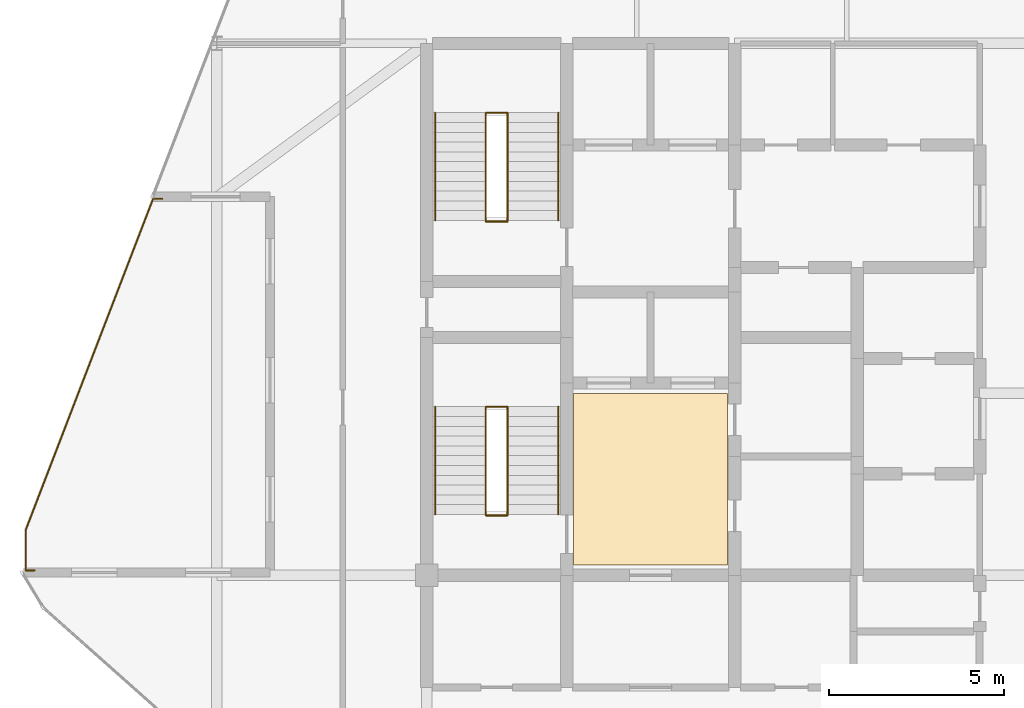
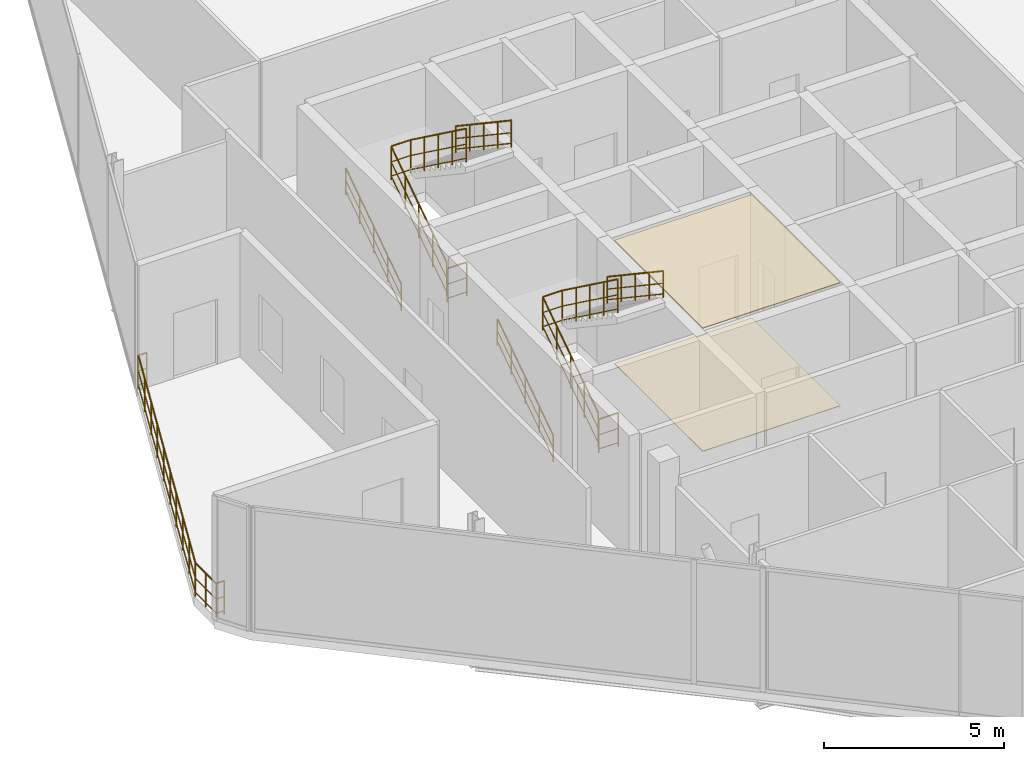
# One storey, part 24 of 24: 12 railings, 2 coverings.
"""IFC4 building model written with IfcOpenShell, lengths in metres."""

from ifc_helpers import new_model, si_unit, direction, frame, origin, origin_2d, place, context, subcontext, project, spatial, polyline, circle, outline, extrude, material, layer, layer_set, type_object, element, save


model = new_model("IFC4")

# Units and contexts
model_context = context("Model", 3, precision=1e-05, world=origin(), true_north=direction((0.0, 1.0)))
body_context = subcontext(model_context, "Body", "Model", "MODEL_VIEW")
ifc_project = project(units=[si_unit("LENGTHUNIT", "METRE"), si_unit("AREAUNIT", "SQUARE_METRE"), si_unit("VOLUMEUNIT", "CUBIC_METRE"), si_unit("PLANEANGLEUNIT", "RADIAN"), si_unit("MASSUNIT", "GRAM", prefix="KILO")], contexts=[model_context])

# Site, building, storey
site_placement = place(None, origin())
site = spatial("IfcSite", under=ifc_project, at=site_placement, CompositionType="ELEMENT")
building_placement = place(site_placement, origin())
building = spatial("IfcBuilding", under=site, at=building_placement, Name="Keshet Zoharim Tower", CompositionType="ELEMENT")
storey_placement = place(building_placement, frame((0.0, 0.0, 299.10009765625)))
storey = spatial("IfcBuildingStorey", under=building, at=storey_placement, Name="L75", CompositionType="ELEMENT", Elevation=299.10009765625)

# Coverings
ifc_material_1 = material(Name="Gypsum Plasterboard", Category="gypsum")
ifc_layer_1 = layer(ifc_material_1, 0.02490234375)
ifc_layer_set_1 = layer_set([ifc_layer_1], Name="Gypsum Plasterboard")
covering_type_1 = type_object("IfcCoveringType", Name="CV-CLG-025", PredefinedType="CEILING", material=ifc_layer_set_1)
covering_1_placement = place(storey_placement, frame((0.0, 0.0, 4.164794921875)))
element("IfcCovering", 1, at=covering_1_placement, inside=storey, type_object=covering_type_1, Name="L75 Core Lobby Acoustic Ceiling", PredefinedType="CEILING", context=body_context, shape_type="SweptSolid", body=[
    extrude(outline(polyline([(19.199951171875, 23.0), (23.60009765625, 23.0), (23.60009765625, 27.89990234375), (19.199951171875, 27.89990234375), (19.199951171875, 23.0)])), origin(), (0.0, 0.0, 1.0), 0.025146484375),
])
ifc_material_2 = material(Name="Porcelain Ceramic Tile", Category="ceramic")
ifc_layer_2 = layer(ifc_material_2, 0.02001953125)
ifc_layer_set_2 = layer_set([ifc_layer_2], Name="Porcelain Ceramic Tile")
covering_type_2 = type_object("IfcCoveringType", Name="CV-FLR-020", PredefinedType="FLOORING", material=ifc_layer_set_2)
covering_2_placement = place(storey_placement, origin())
element("IfcCovering", 2, at=covering_2_placement, inside=storey, type_object=covering_type_2, Name="L75 Core Lobby Porcelain Flooring", PredefinedType="FLOORING", context=body_context, shape_type="SweptSolid", body=[
    extrude(outline(polyline([(19.199951171875, 23.0), (23.60009765625, 23.0), (23.60009765625, 27.89990234375), (19.199951171875, 27.89990234375), (19.199951171875, 23.0)])), origin(), (0.0, 0.0, 1.0), 0.02001953125),
])

# Railings
ifc_material_3 = material(Name="Steel S355", Category="steel")
ifc_layer_3 = layer(ifc_material_3, 0.050048828125)
ifc_layer_set_3 = layer_set([ifc_layer_3], Name="Steel S355")
railing_type_1 = type_object("IfcRailingType", Name="RL-HND-092", PredefinedType="HANDRAIL", material=ifc_layer_set_3)
railing_1_placement = place(storey_placement, frame((15.239990234375, 24.43994140625, 0.1875)))
element("IfcRailing", 3, at=railing_1_placement, inside=storey, type_object=railing_type_1, Name="L75 ST-01 Flight 1 Wall Handrail", PredefinedType="HANDRAIL", context=body_context, shape_type="SweptSolid", body=[
    extrude(circle(Radius=0.02392578125, at=origin_2d()), frame((0.0, 0.0, 0.89599609375), z_axis=(0.0, 0.830913701846, 0.55640131208), x_axis=(-1.0, 0.0, 0.0)), (0.0, 0.0, 1.0), 3.706787109375),
    extrude(circle(Radius=0.01611328125, at=origin_2d()), frame((0.0, 0.0, 0.478271484375), z_axis=(0.0, 0.830913701846, 0.55640131208), x_axis=(-1.0, 0.0, 0.0)), (0.0, 0.0, 1.0), 3.706787109375),
    extrude(circle(Radius=0.01611328125, at=origin_2d()), frame((0.0, 0.0, 0.1201171875), z_axis=(0.0, 0.830913701846, 0.55640131208), x_axis=(-1.0, 0.0, 0.0)), (0.0, 0.0, 1.0), 3.706787109375),
    extrude(circle(Radius=0.02099609375, at=origin_2d()), origin(), (0.0, 0.0, 1.0), 0.871826171875),
    extrude(circle(Radius=0.02099609375, at=origin_2d()), frame((0.0, 0.77001953125, 0.515625)), (0.0, 0.0, 1.0), 0.871826171875),
    extrude(circle(Radius=0.02099609375, at=origin_2d()), frame((0.0, 1.5400390625, 1.03125)), (0.0, 0.0, 1.0), 0.871826171875),
    extrude(circle(Radius=0.02099609375, at=origin_2d()), frame((0.0, 2.31005859375, 1.546875)), (0.0, 0.0, 1.0), 0.871826171875),
    extrude(circle(Radius=0.02099609375, at=origin_2d()), frame((0.0, 3.080078125, 2.0625)), (0.0, 0.0, 1.0), 0.871826171875),
])
railing_2_placement = place(storey_placement, frame((18.760009765625, 27.52001953125, 2.4375)))
element("IfcRailing", 4, at=railing_2_placement, inside=storey, type_object=railing_type_1, Name="L75 ST-01 Flight 2 Wall Handrail", PredefinedType="HANDRAIL", context=body_context, shape_type="SweptSolid", body=[
    extrude(circle(Radius=0.02392578125, at=origin_2d()), frame((0.0, 0.0, 0.89599609375), z_axis=(0.0, -0.830913701846, 0.55640131208), x_axis=(1.0, 0.0, 0.0)), (0.0, 0.0, 1.0), 3.706787109375),
    extrude(circle(Radius=0.01611328125, at=origin_2d()), frame((0.0, 0.0, 0.478271484375), z_axis=(0.0, -0.830913701846, 0.55640131208), x_axis=(1.0, 0.0, 0.0)), (0.0, 0.0, 1.0), 3.706787109375),
    extrude(circle(Radius=0.01611328125, at=origin_2d()), frame((0.0, 0.0, 0.1201171875), z_axis=(0.0, -0.830913701846, 0.55640131208), x_axis=(1.0, 0.0, 0.0)), (0.0, 0.0, 1.0), 3.706787109375),
    extrude(circle(Radius=0.02099609375, at=origin_2d()), origin(), (0.0, 0.0, 1.0), 0.871826171875),
    extrude(circle(Radius=0.02099609375, at=origin_2d()), frame((0.0, -0.77001953125, 0.515625)), (0.0, 0.0, 1.0), 0.871826171875),
    extrude(circle(Radius=0.02099609375, at=origin_2d()), frame((0.0, -1.5400390625, 1.03125)), (0.0, 0.0, 1.0), 0.871826171875),
    extrude(circle(Radius=0.02099609375, at=origin_2d()), frame((0.0, -2.31005859375, 1.546875)), (0.0, 0.0, 1.0), 0.871826171875),
    extrude(circle(Radius=0.02099609375, at=origin_2d()), frame((0.0, -3.080078125, 2.0625)), (0.0, 0.0, 1.0), 0.871826171875),
])
railing_3_placement = place(storey_placement, frame((15.239990234375, 32.840087890625, 0.1875)))
element("IfcRailing", 5, at=railing_3_placement, inside=storey, type_object=railing_type_1, Name="L75 ST-02 Flight 1 Wall Handrail", PredefinedType="HANDRAIL", context=body_context, shape_type="SweptSolid", body=[
    extrude(circle(Radius=0.02392578125, at=origin_2d()), frame((0.0, 0.0, 0.89599609375), z_axis=(0.0, 0.830893310487, 0.556431762742), x_axis=(-1.0, 0.0, 0.0)), (0.0, 0.0, 1.0), 3.70654296875),
    extrude(circle(Radius=0.01611328125, at=origin_2d()), frame((0.0, 0.0, 0.478271484375), z_axis=(0.0, 0.830893310487, 0.556431762742), x_axis=(-1.0, 0.0, 0.0)), (0.0, 0.0, 1.0), 3.70654296875),
    extrude(circle(Radius=0.01611328125, at=origin_2d()), frame((0.0, 0.0, 0.1201171875), z_axis=(0.0, 0.830893310487, 0.556431762742), x_axis=(-1.0, 0.0, 0.0)), (0.0, 0.0, 1.0), 3.70654296875),
    extrude(circle(Radius=0.02099609375, at=origin_2d()), origin(), (0.0, 0.0, 1.0), 0.871826171875),
    extrude(circle(Radius=0.02099609375, at=origin_2d()), frame((0.0, 0.77001953125, 0.515625)), (0.0, 0.0, 1.0), 0.871826171875),
    extrude(circle(Radius=0.02099609375, at=origin_2d()), frame((0.0, 1.5400390625, 1.03125)), (0.0, 0.0, 1.0), 0.871826171875),
    extrude(circle(Radius=0.02099609375, at=origin_2d()), frame((0.0, 2.309814453125, 1.546875)), (0.0, 0.0, 1.0), 0.871826171875),
    extrude(circle(Radius=0.02099609375, at=origin_2d()), frame((0.0, 3.079833984375, 2.0625)), (0.0, 0.0, 1.0), 0.871826171875),
])
railing_4_placement = place(storey_placement, frame((18.760009765625, 35.919921875, 2.4375)))
element("IfcRailing", 6, at=railing_4_placement, inside=storey, type_object=railing_type_1, Name="L75 ST-02 Flight 2 Wall Handrail", PredefinedType="HANDRAIL", context=body_context, shape_type="SweptSolid", body=[
    extrude(circle(Radius=0.02392578125, at=origin_2d()), frame((0.0, 0.0, 0.89599609375), z_axis=(0.0, -0.830893310487, 0.556431762742), x_axis=(1.0, 0.0, 0.0)), (0.0, 0.0, 1.0), 3.70654296875),
    extrude(circle(Radius=0.01611328125, at=origin_2d()), frame((0.0, 0.0, 0.478271484375), z_axis=(0.0, -0.830893310487, 0.556431762742), x_axis=(1.0, 0.0, 0.0)), (0.0, 0.0, 1.0), 3.70654296875),
    extrude(circle(Radius=0.01611328125, at=origin_2d()), frame((0.0, 0.0, 0.1201171875), z_axis=(0.0, -0.830893310487, 0.556431762742), x_axis=(1.0, 0.0, 0.0)), (0.0, 0.0, 1.0), 3.70654296875),
    extrude(circle(Radius=0.02099609375, at=origin_2d()), origin(), (0.0, 0.0, 1.0), 0.871826171875),
    extrude(circle(Radius=0.02099609375, at=origin_2d()), frame((0.0, -0.77001953125, 0.515625)), (0.0, 0.0, 1.0), 0.871826171875),
    extrude(circle(Radius=0.02099609375, at=origin_2d()), frame((0.0, -1.5400390625, 1.03125)), (0.0, 0.0, 1.0), 0.871826171875),
    extrude(circle(Radius=0.02099609375, at=origin_2d()), frame((0.0, -2.309814453125, 1.546875)), (0.0, 0.0, 1.0), 0.871826171875),
    extrude(circle(Radius=0.02099609375, at=origin_2d()), frame((0.0, -3.079833984375, 2.0625)), (0.0, 0.0, 1.0), 0.871826171875),
])
ifc_layer_4 = layer(ifc_material_3, 0.06005859375)
ifc_layer_set_4 = layer_set([ifc_layer_4], Name="Steel S355")
railing_type_2 = type_object("IfcRailingType", Name="RL-STG-115", PredefinedType="GUARDRAIL", material=ifc_layer_set_4)
railing_5_placement = place(storey_placement, frame((16.68994140625, 24.43994140625, 0.1875)))
element("IfcRailing", 7, at=railing_5_placement, inside=storey, type_object=railing_type_2, Name="L75 ST-01 Inner Well Guardrail", PredefinedType="GUARDRAIL", context=body_context, shape_type="SweptSolid", body=[
    extrude(circle(Radius=0.02392578125, at=origin_2d()), frame((0.0, 0.0, 1.1259765625), z_axis=(0.0, 0.830913701846, 0.55640131208), x_axis=(-1.0, 0.0, 0.0)), (0.0, 0.0, 1.0), 3.706787109375),
    extrude(circle(Radius=0.01611328125, at=origin_2d()), frame((0.0, 0.0, 0.597900390625), z_axis=(0.0, 0.830913701846, 0.55640131208), x_axis=(-1.0, 0.0, 0.0)), (0.0, 0.0, 1.0), 3.706787109375),
    extrude(circle(Radius=0.01611328125, at=origin_2d()), frame((0.0, 0.0, 0.1201171875), z_axis=(0.0, 0.830913701846, 0.55640131208), x_axis=(-1.0, 0.0, 0.0)), (0.0, 0.0, 1.0), 3.706787109375),
    extrude(circle(Radius=0.02392578125, at=origin_2d()), frame((0.0, 3.080078125, 3.1884765625), z_axis=(1.0, 0.0, 0.0), x_axis=(0.0, 1.0, 0.0)), (0.0, 0.0, 1.0), 0.6201171875),
    extrude(circle(Radius=0.01611328125, at=origin_2d()), frame((0.0, 3.080078125, 2.660400390625), z_axis=(1.0, 0.0, 0.0), x_axis=(0.0, 1.0, 0.0)), (0.0, 0.0, 1.0), 0.6201171875),
    extrude(circle(Radius=0.01611328125, at=origin_2d()), frame((0.0, 3.080078125, 2.1826171875), z_axis=(1.0, 0.0, 0.0), x_axis=(0.0, 1.0, 0.0)), (0.0, 0.0, 1.0), 0.6201171875),
    extrude(circle(Radius=0.02392578125, at=origin_2d()), frame((0.6201171875, 3.080078125, 3.1884765625), z_axis=(0.0, -0.807494308864, 0.589875360692), x_axis=(1.0, 0.0, 0.0)), (0.0, 0.0, 1.0), 3.814453125),
    extrude(circle(Radius=0.01611328125, at=origin_2d()), frame((0.6201171875, 3.080078125, 2.660400390625), z_axis=(0.0, -0.807494308864, 0.589875360692), x_axis=(1.0, 0.0, 0.0)), (0.0, 0.0, 1.0), 3.814453125),
    extrude(circle(Radius=0.01611328125, at=origin_2d()), frame((0.6201171875, 3.080078125, 2.1826171875), z_axis=(0.0, -0.807494308864, 0.589875360692), x_axis=(1.0, 0.0, 0.0)), (0.0, 0.0, 1.0), 3.814453125),
    extrude(circle(Radius=0.02099609375, at=origin_2d()), origin(), (0.0, 0.0, 1.0), 1.101806640625),
    extrude(circle(Radius=0.02099609375, at=origin_2d()), frame((0.0, 0.77001953125, 0.515625)), (0.0, 0.0, 1.0), 1.101806640625),
    extrude(circle(Radius=0.02099609375, at=origin_2d()), frame((0.0, 1.5400390625, 1.03125)), (0.0, 0.0, 1.0), 1.101806640625),
    extrude(circle(Radius=0.02099609375, at=origin_2d()), frame((0.0, 2.31005859375, 1.546875)), (0.0, 0.0, 1.0), 1.101806640625),
    extrude(circle(Radius=0.02099609375, at=origin_2d()), frame((0.0, 3.080078125, 2.0625)), (0.0, 0.0, 1.0), 1.101806640625),
    extrude(circle(Radius=0.02099609375, at=origin_2d()), frame((0.6201171875, 3.080078125, 2.0625)), (0.0, 0.0, 1.0), 1.101806640625),
    extrude(circle(Radius=0.02099609375, at=origin_2d()), frame((0.6201171875, 2.31005859375, 2.625)), (0.0, 0.0, 1.0), 1.101806640625),
    extrude(circle(Radius=0.02099609375, at=origin_2d()), frame((0.6201171875, 1.5400390625, 3.1875)), (0.0, 0.0, 1.0), 1.101806640625),
    extrude(circle(Radius=0.02099609375, at=origin_2d()), frame((0.6201171875, 0.77001953125, 3.75)), (0.0, 0.0, 1.0), 1.101806640625),
    extrude(circle(Radius=0.02099609375, at=origin_2d()), frame((0.6201171875, 0.0, 4.3125)), (0.0, 0.0, 1.0), 1.101806640625),
])
railing_6_placement = place(storey_placement, frame((16.68994140625, 24.409912109375, 0.0)))
element("IfcRailing", 8, at=railing_6_placement, inside=storey, type_object=railing_type_2, Name="L75 ST-01 Stairwell Floor Guardrail", PredefinedType="GUARDRAIL", context=body_context, shape_type="SweptSolid", body=[
    extrude(circle(Radius=0.02392578125, at=origin_2d()), frame((0.0, 0.0, 1.1259765625), z_axis=(1.0, 0.0, 0.0), x_axis=(0.0, 1.0, 0.0)), (0.0, 0.0, 1.0), 0.6201171875),
    extrude(circle(Radius=0.01611328125, at=origin_2d()), frame((0.0, 0.0, 0.597900390625), z_axis=(1.0, 0.0, 0.0), x_axis=(0.0, 1.0, 0.0)), (0.0, 0.0, 1.0), 0.6201171875),
    extrude(circle(Radius=0.01611328125, at=origin_2d()), frame((0.0, 0.0, 0.1201171875), z_axis=(1.0, 0.0, 0.0), x_axis=(0.0, 1.0, 0.0)), (0.0, 0.0, 1.0), 0.6201171875),
    extrude(circle(Radius=0.02099609375, at=origin_2d()), origin(), (0.0, 0.0, 1.0), 1.101806640625),
    extrude(circle(Radius=0.02099609375, at=origin_2d()), frame((0.6201171875, 0.0, 0.0)), (0.0, 0.0, 1.0), 1.101806640625),
])
railing_7_placement = place(storey_placement, frame((16.68994140625, 32.840087890625, 0.1875)))
element("IfcRailing", 9, at=railing_7_placement, inside=storey, type_object=railing_type_2, Name="L75 ST-02 Inner Well Guardrail", PredefinedType="GUARDRAIL", context=body_context, shape_type="SweptSolid", body=[
    extrude(circle(Radius=0.02392578125, at=origin_2d()), frame((0.0, 0.0, 1.1259765625), z_axis=(0.0, 0.830893310487, 0.556431762742), x_axis=(-1.0, 0.0, 0.0)), (0.0, 0.0, 1.0), 3.70654296875),
    extrude(circle(Radius=0.01611328125, at=origin_2d()), frame((0.0, 0.0, 0.597900390625), z_axis=(0.0, 0.830893310487, 0.556431762742), x_axis=(-1.0, 0.0, 0.0)), (0.0, 0.0, 1.0), 3.70654296875),
    extrude(circle(Radius=0.01611328125, at=origin_2d()), frame((0.0, 0.0, 0.1201171875), z_axis=(0.0, 0.830893310487, 0.556431762742), x_axis=(-1.0, 0.0, 0.0)), (0.0, 0.0, 1.0), 3.70654296875),
    extrude(circle(Radius=0.02392578125, at=origin_2d()), frame((0.0, 3.079833984375, 3.1884765625), z_axis=(1.0, 0.0, 0.0), x_axis=(0.0, 1.0, 0.0)), (0.0, 0.0, 1.0), 0.6201171875),
    extrude(circle(Radius=0.01611328125, at=origin_2d()), frame((0.0, 3.079833984375, 2.660400390625), z_axis=(1.0, 0.0, 0.0), x_axis=(0.0, 1.0, 0.0)), (0.0, 0.0, 1.0), 0.6201171875),
    extrude(circle(Radius=0.01611328125, at=origin_2d()), frame((0.0, 3.079833984375, 2.1826171875), z_axis=(1.0, 0.0, 0.0), x_axis=(0.0, 1.0, 0.0)), (0.0, 0.0, 1.0), 0.6201171875),
    extrude(circle(Radius=0.02392578125, at=origin_2d()), frame((0.6201171875, 3.079833984375, 3.1884765625), z_axis=(0.0, -0.80747203621, 0.589905849046), x_axis=(1.0, 0.0, 0.0)), (0.0, 0.0, 1.0), 3.814208984375),
    extrude(circle(Radius=0.01611328125, at=origin_2d()), frame((0.6201171875, 3.079833984375, 2.660400390625), z_axis=(0.0, -0.80747203621, 0.589905849046), x_axis=(1.0, 0.0, 0.0)), (0.0, 0.0, 1.0), 3.814208984375),
    extrude(circle(Radius=0.01611328125, at=origin_2d()), frame((0.6201171875, 3.079833984375, 2.1826171875), z_axis=(0.0, -0.80747203621, 0.589905849046), x_axis=(1.0, 0.0, 0.0)), (0.0, 0.0, 1.0), 3.814208984375),
    extrude(circle(Radius=0.02099609375, at=origin_2d()), origin(), (0.0, 0.0, 1.0), 1.101806640625),
    extrude(circle(Radius=0.02099609375, at=origin_2d()), frame((0.0, 0.77001953125, 0.515625)), (0.0, 0.0, 1.0), 1.101806640625),
    extrude(circle(Radius=0.02099609375, at=origin_2d()), frame((0.0, 1.5400390625, 1.03125)), (0.0, 0.0, 1.0), 1.101806640625),
    extrude(circle(Radius=0.02099609375, at=origin_2d()), frame((0.0, 2.309814453125, 1.546875)), (0.0, 0.0, 1.0), 1.101806640625),
    extrude(circle(Radius=0.02099609375, at=origin_2d()), frame((0.0, 3.079833984375, 2.0625)), (0.0, 0.0, 1.0), 1.101806640625),
    extrude(circle(Radius=0.02099609375, at=origin_2d()), frame((0.6201171875, 3.079833984375, 2.0625)), (0.0, 0.0, 1.0), 1.101806640625),
    extrude(circle(Radius=0.02099609375, at=origin_2d()), frame((0.6201171875, 2.309814453125, 2.625)), (0.0, 0.0, 1.0), 1.101806640625),
    extrude(circle(Radius=0.02099609375, at=origin_2d()), frame((0.6201171875, 1.5400390625, 3.1875)), (0.0, 0.0, 1.0), 1.101806640625),
    extrude(circle(Radius=0.02099609375, at=origin_2d()), frame((0.6201171875, 0.77001953125, 3.75)), (0.0, 0.0, 1.0), 1.101806640625),
    extrude(circle(Radius=0.02099609375, at=origin_2d()), frame((0.6201171875, 0.0, 4.3125)), (0.0, 0.0, 1.0), 1.101806640625),
])
railing_8_placement = place(storey_placement, frame((16.68994140625, 32.81005859375, 0.0)))
element("IfcRailing", 10, at=railing_8_placement, inside=storey, type_object=railing_type_2, Name="L75 ST-02 Stairwell Floor Guardrail", PredefinedType="GUARDRAIL", context=body_context, shape_type="SweptSolid", body=[
    extrude(circle(Radius=0.02392578125, at=origin_2d()), frame((0.0, 0.0, 1.1259765625), z_axis=(1.0, 0.0, 0.0), x_axis=(0.0, 1.0, 0.0)), (0.0, 0.0, 1.0), 0.6201171875),
    extrude(circle(Radius=0.01611328125, at=origin_2d()), frame((0.0, 0.0, 0.597900390625), z_axis=(1.0, 0.0, 0.0), x_axis=(0.0, 1.0, 0.0)), (0.0, 0.0, 1.0), 0.6201171875),
    extrude(circle(Radius=0.01611328125, at=origin_2d()), frame((0.0, 0.0, 0.1201171875), z_axis=(1.0, 0.0, 0.0), x_axis=(0.0, 1.0, 0.0)), (0.0, 0.0, 1.0), 0.6201171875),
    extrude(circle(Radius=0.02099609375, at=origin_2d()), origin(), (0.0, 0.0, 1.0), 1.101806640625),
    extrude(circle(Radius=0.02099609375, at=origin_2d()), frame((0.6201171875, 0.0, 0.0)), (0.0, 0.0, 1.0), 1.101806640625),
])
ifc_layer_5 = layer(ifc_material_3, 0.070068359375)
ifc_layer_set_5 = layer_set([ifc_layer_5], Name="Steel S355")
railing_type_3 = type_object("IfcRailingType", Name="RL-TER-115", PredefinedType="GUARDRAIL", material=ifc_layer_set_5)
railing_9_placement = place(storey_placement, frame((3.5400390625, 23.992919921875, 0.0)))
element("IfcRailing", 11, at=railing_9_placement, inside=storey, type_object=railing_type_3, Name="L75 Terrace Perimeter Guardrail 01", PredefinedType="GUARDRAIL", context=body_context, shape_type="SweptSolid", body=[
    extrude(circle(Radius=0.02392578125, at=origin_2d()), frame((0.0, 0.0, 1.1259765625), z_axis=(0.358953272351, 0.933355531547, 0.0), x_axis=(-0.933355531547, 0.358953272351, 0.0)), (0.0, 0.0, 1.0), 10.14306640625),
    extrude(circle(Radius=0.01611328125, at=origin_2d()), frame((0.0, 0.0, 0.597900390625), z_axis=(0.358953272351, 0.933355531547, 0.0), x_axis=(-0.933355531547, 0.358953272351, 0.0)), (0.0, 0.0, 1.0), 10.14306640625),
    extrude(circle(Radius=0.01611328125, at=origin_2d()), frame((0.0, 0.0, 0.1201171875), z_axis=(0.358953272351, 0.933355531547, 0.0), x_axis=(-0.933355531547, 0.358953272351, 0.0)), (0.0, 0.0, 1.0), 10.14306640625),
    extrude(circle(Radius=0.02099609375, at=origin_2d()), origin(), (0.0, 0.0, 1.0), 1.101806640625),
    extrude(circle(Radius=0.02099609375, at=origin_2d()), frame((0.404541015625, 1.052001953125, 0.0)), (0.0, 0.0, 1.0), 1.101806640625),
    extrude(circle(Radius=0.02099609375, at=origin_2d()), frame((0.80908203125, 2.103759765625, 0.0)), (0.0, 0.0, 1.0), 1.101806640625),
    extrude(circle(Radius=0.02099609375, at=origin_2d()), frame((1.213623046875, 3.15576171875, 0.0)), (0.0, 0.0, 1.0), 1.101806640625),
    extrude(circle(Radius=0.02099609375, at=origin_2d()), frame((1.6181640625, 4.20751953125, 0.0)), (0.0, 0.0, 1.0), 1.101806640625),
    extrude(circle(Radius=0.02099609375, at=origin_2d()), frame((2.022705078125, 5.259521484375, 0.0)), (0.0, 0.0, 1.0), 1.101806640625),
    extrude(circle(Radius=0.02099609375, at=origin_2d()), frame((2.42724609375, 6.311279296875, 0.0)), (0.0, 0.0, 1.0), 1.101806640625),
    extrude(circle(Radius=0.02099609375, at=origin_2d()), frame((2.831787109375, 7.36328125, 0.0)), (0.0, 0.0, 1.0), 1.101806640625),
    extrude(circle(Radius=0.02099609375, at=origin_2d()), frame((3.236328125, 8.4150390625, 0.0)), (0.0, 0.0, 1.0), 1.101806640625),
    extrude(circle(Radius=0.02099609375, at=origin_2d()), frame((3.640869140625, 9.467041015625, 0.0)), (0.0, 0.0, 1.0), 1.101806640625),
])
railing_10_placement = place(storey_placement, frame((7.180908203125, 33.4599609375, 0.0)))
element("IfcRailing", 12, at=railing_10_placement, inside=storey, type_object=railing_type_3, Name="L75 Terrace Perimeter Guardrail 02", PredefinedType="GUARDRAIL", context=body_context, shape_type="SweptSolid", body=[
    extrude(circle(Radius=0.02392578125, at=origin_2d()), frame((0.0, 0.0, 1.1259765625), z_axis=(1.0, 0.0, 0.0), x_axis=(0.0, 1.0, 0.0)), (0.0, 0.0, 1.0), 0.26708984375),
    extrude(circle(Radius=0.01611328125, at=origin_2d()), frame((0.0, 0.0, 0.597900390625), z_axis=(1.0, 0.0, 0.0), x_axis=(0.0, 1.0, 0.0)), (0.0, 0.0, 1.0), 0.26708984375),
    extrude(circle(Radius=0.01611328125, at=origin_2d()), frame((0.0, 0.0, 0.1201171875), z_axis=(1.0, 0.0, 0.0), x_axis=(0.0, 1.0, 0.0)), (0.0, 0.0, 1.0), 0.26708984375),
    extrude(circle(Radius=0.02099609375, at=origin_2d()), origin(), (0.0, 0.0, 1.0), 1.101806640625),
    extrude(circle(Radius=0.02099609375, at=origin_2d()), frame((0.26708984375, 0.0, 0.0)), (0.0, 0.0, 1.0), 1.101806640625),
])
railing_11_placement = place(storey_placement, frame((3.798095703125, 22.840087890625, 0.0)))
element("IfcRailing", 13, at=railing_11_placement, inside=storey, type_object=railing_type_3, Name="L75 Terrace Perimeter Guardrail 03", PredefinedType="GUARDRAIL", context=body_context, shape_type="SweptSolid", body=[
    extrude(circle(Radius=0.02392578125, at=origin_2d()), frame((0.0, 0.0, 1.1259765625), z_axis=(-1.0, 0.0, 0.0), x_axis=(0.0, -1.0, 0.0)), (0.0, 0.0, 1.0), 0.258056640625),
    extrude(circle(Radius=0.01611328125, at=origin_2d()), frame((0.0, 0.0, 0.597900390625), z_axis=(-1.0, 0.0, 0.0), x_axis=(0.0, -1.0, 0.0)), (0.0, 0.0, 1.0), 0.258056640625),
    extrude(circle(Radius=0.01611328125, at=origin_2d()), frame((0.0, 0.0, 0.1201171875), z_axis=(-1.0, 0.0, 0.0), x_axis=(0.0, -1.0, 0.0)), (0.0, 0.0, 1.0), 0.258056640625),
    extrude(circle(Radius=0.02099609375, at=origin_2d()), origin(), (0.0, 0.0, 1.0), 1.101806640625),
    extrude(circle(Radius=0.02099609375, at=origin_2d()), frame((-0.258056640625, 0.0, 0.0)), (0.0, 0.0, 1.0), 1.101806640625),
])
railing_12_placement = place(storey_placement, frame((3.5400390625, 22.840087890625, 0.0)))
element("IfcRailing", 14, at=railing_12_placement, inside=storey, type_object=railing_type_3, Name="L75 Terrace Perimeter Guardrail 04", PredefinedType="GUARDRAIL", context=body_context, shape_type="SweptSolid", body=[
    extrude(circle(Radius=0.02392578125, at=origin_2d()), frame((0.0, 0.0, 1.1259765625), z_axis=(0.0, 1.0, 0.0), x_axis=(-1.0, 0.0, 0.0)), (0.0, 0.0, 1.0), 1.15283203125),
    extrude(circle(Radius=0.01611328125, at=origin_2d()), frame((0.0, 0.0, 0.597900390625), z_axis=(0.0, 1.0, 0.0), x_axis=(-1.0, 0.0, 0.0)), (0.0, 0.0, 1.0), 1.15283203125),
    extrude(circle(Radius=0.01611328125, at=origin_2d()), frame((0.0, 0.0, 0.1201171875), z_axis=(0.0, 1.0, 0.0), x_axis=(-1.0, 0.0, 0.0)), (0.0, 0.0, 1.0), 1.15283203125),
    extrude(circle(Radius=0.02099609375, at=origin_2d()), origin(), (0.0, 0.0, 1.0), 1.101806640625),
    extrude(circle(Radius=0.02099609375, at=origin_2d()), frame((0.0, 0.576416015625, 0.0)), (0.0, 0.0, 1.0), 1.101806640625),
    extrude(circle(Radius=0.02099609375, at=origin_2d()), frame((0.0, 1.15283203125, 0.0)), (0.0, 0.0, 1.0), 1.101806640625),
])

save(model, "model.ifc")
